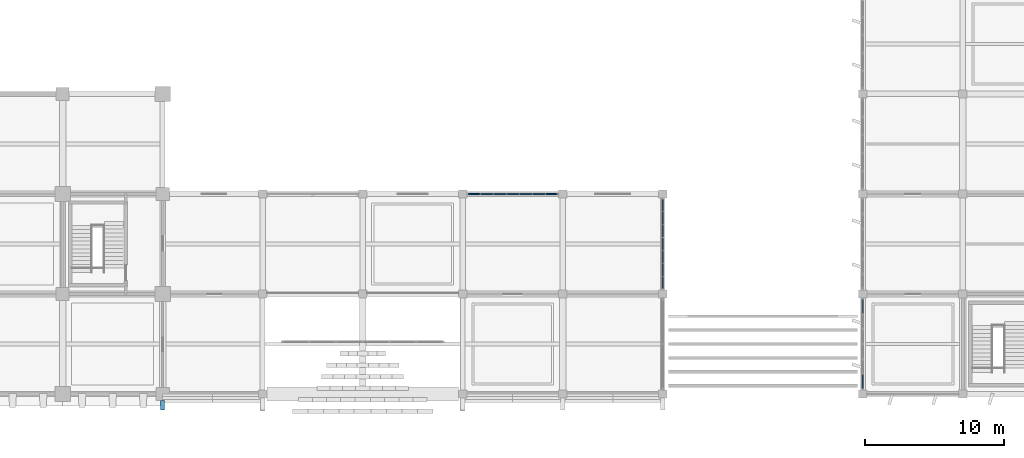
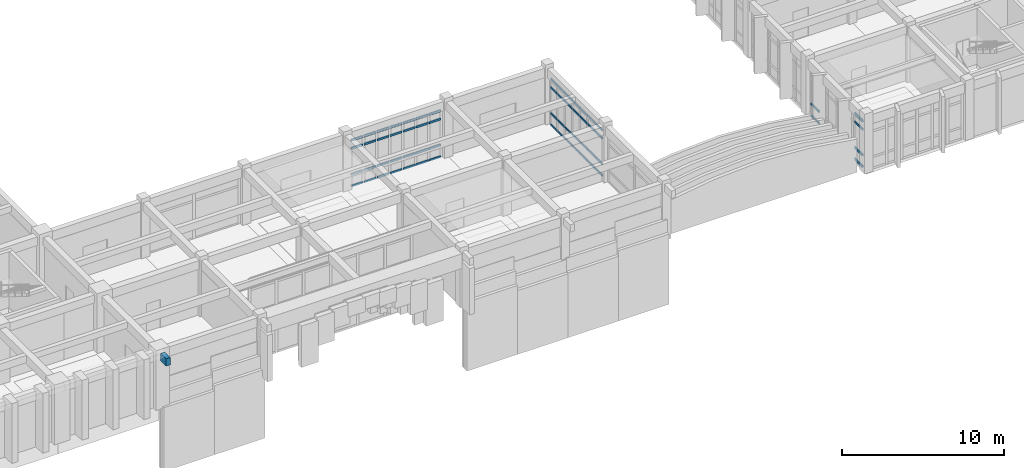
# One storey, part 35 of 81: 62 members, 1 beam, 3 elements without a shape of their own.
"""IFC4 building model written with IfcOpenShell, lengths in metres."""

import ifcopenshell
import ifcopenshell.guid

model = None  # the IFC model being written
_history = None  # IfcOwnerHistory: only IFC2X3 demands one
_inside = {}  # id of a spatial element -> (the spatial element, [elements in it])
_under = {}  # id of a project, library or spatial element -> (it, [spatial elements below it])
_declared = {}  # id of a project -> (the project, [libraries it declares])
_typed = {}  # id of a type object -> (the type object, [elements of that type])
_made_of = {}  # id of a material, layer set ... -> (it, [elements and type objects made of it])


def new_model(schema):
    """Start an empty IFC model of exactly this schema.

    Asked for "IFC4X3", IfcOpenShell would pick the latest addendum, in which some entities
    have other attributes; the version numbers below select the first issue.
    IFC2X3 requires an IfcOwnerHistory on every rooted entity: one is made here for all.
    """
    global model, _history
    if schema == "IFC4X3":
        model = ifcopenshell.file(schema_version=(4, 3, 0, 0))
    else:
        model = ifcopenshell.file(schema=schema)
    _inside.clear()
    _under.clear()
    _declared.clear()
    _typed.clear()
    _made_of.clear()
    _history = None
    if model.schema == "IFC2X3":
        org = make("IfcOrganization", Name="unknown")
        user = make(
            "IfcPersonAndOrganization",
            ThePerson=make("IfcPerson", FamilyName="unknown"),
            TheOrganization=org,
        )
        app = make(
            "IfcApplication",
            ApplicationDeveloper=org,
            Version="unknown",
            ApplicationFullName="unknown",
            ApplicationIdentifier="unknown",
        )
        _history = make(
            "IfcOwnerHistory",
            OwningUser=user,
            OwningApplication=app,
            ChangeAction="ADDED",
            CreationDate=0,
        )
    return model


def make(cls, **values):
    """One entity of the class cls with the attributes given. An attribute that is None is left unset."""
    return model.create_entity(
        cls, **{name: value for name, value in values.items() if value is not None}
    )


def rooted(cls, **values):
    """An entity with a GlobalId (a new one), such as an element, a storey or a relation."""
    return make(cls, GlobalId=ifcopenshell.guid.new(), OwnerHistory=_history, **values)


def si_unit(unit_type, name, prefix=None):
    """IfcSIUnit, for example si_unit("LENGTHUNIT", "METRE", prefix="MILLI")."""
    return make("IfcSIUnit", UnitType=unit_type, Prefix=prefix, Name=name)


def assignment(units):
    """IfcUnitAssignment: the units of a project."""
    return None if units is None else make("IfcUnitAssignment", Units=units)


def point(xyz):
    """IfcCartesianPoint."""
    return None if xyz is None else make("IfcCartesianPoint", Coordinates=xyz)


def direction(xyz):
    """IfcDirection."""
    return None if xyz is None else make("IfcDirection", DirectionRatios=xyz)


def frame(location, z_axis=None, x_axis=None):
    """IfcAxis2Placement3D, a coordinate frame: its origin and axes. An axis left out is left unset."""
    return make(
        "IfcAxis2Placement3D",
        Location=point(location),
        Axis=direction(z_axis),
        RefDirection=direction(x_axis),
    )


def frame_2d(location, x_axis=None):
    """IfcAxis2Placement2D, a coordinate frame in the plane: its origin and x axis."""
    return make(
        "IfcAxis2Placement2D", Location=point(location), RefDirection=direction(x_axis)
    )


def origin():
    """The frame at (0, 0, 0) with its axes left unset."""
    return frame((0.0, 0.0, 0.0))


def origin_2d():
    """The frame at (0, 0) in the plane with its x axis left unset."""
    return frame_2d((0.0, 0.0))


def place(relative_to, where):
    """IfcLocalPlacement: puts the frame where relative to a parent placement (None: the world)."""
    return make(
        "IfcLocalPlacement", PlacementRelTo=relative_to, RelativePlacement=where
    )


def context(
    kind, dimensions, precision=None, world=None, true_north=None, identifier=None
):
    """IfcGeometricRepresentationContext, for example the 3D "Model" context."""
    return make(
        "IfcGeometricRepresentationContext",
        ContextIdentifier=identifier,
        ContextType=kind,
        CoordinateSpaceDimension=dimensions,
        Precision=precision,
        WorldCoordinateSystem=world,
        TrueNorth=true_north,
    )


def subcontext(parent, identifier, kind, view, scale=None):
    """IfcGeometricRepresentationSubContext, for example "Body" below "Model"."""
    return make(
        "IfcGeometricRepresentationSubContext",
        ContextIdentifier=identifier,
        ContextType=kind,
        ParentContext=parent,
        TargetScale=scale,
        TargetView=view,
    )


def project(units=None, contexts=None):
    """IfcProject with its units and contexts."""
    return rooted(
        "IfcProject",
        Name="project",
        RepresentationContexts=contexts,
        UnitsInContext=assignment(units),
    )


def spatial(cls, under=None, at=None, **own):
    """A site, building, storey or space (cls), placed at a placement, below another one or the project."""
    s = rooted(cls, ObjectPlacement=at, **own)
    if under is not None:
        _under.setdefault(under.id(), (under, []))[1].append(s)
    return s


def profile(cls, at=None, kind="AREA", **sizes):
    """A parametric profile (cls). Its sizes go by their IFC names, for example OverallWidth=200.0."""
    return make(cls, ProfileType=kind, Position=at, **sizes)


def rectangle(**sizes):
    """IfcRectangleProfileDef."""
    return profile("IfcRectangleProfileDef", **sizes)


def extrude(swept, where, along, depth):
    """IfcExtrudedAreaSolid: the profile swept, set in the frame where, extruded along a direction by depth."""
    return make(
        "IfcExtrudedAreaSolid",
        SweptArea=swept,
        Position=where,
        ExtrudedDirection=direction(along),
        Depth=depth,
    )


def shape(context_of_items, identifier, shape_type, items):
    """IfcShapeRepresentation: the items that make up one representation, for example the "Body"."""
    return make(
        "IfcShapeRepresentation",
        ContextOfItems=context_of_items,
        RepresentationIdentifier=identifier,
        RepresentationType=shape_type,
        Items=items,
    )


def material(Name=None, Category=None):
    """IfcMaterial."""
    return make("IfcMaterial", Name=Name, Category=Category)


def layer(
    of_material, thickness, ventilated=None, Name=None, Category=None, Priority=None
):
    """IfcMaterialLayer: one layer of a wall or slab, of a material (None: an air gap)."""
    return make(
        "IfcMaterialLayer",
        Material=of_material,
        LayerThickness=thickness,
        IsVentilated=ventilated,
        Name=Name,
        Category=Category,
        Priority=Priority,
    )


def layer_set(layers, Name=None):
    """IfcMaterialLayerSet."""
    return make("IfcMaterialLayerSet", MaterialLayers=layers, LayerSetName=Name)


def material_profile(
    of_material, cross_section, Name=None, Category=None, Priority=None
):
    """IfcMaterialProfile: a cross section and its material."""
    return make(
        "IfcMaterialProfile",
        Name=Name,
        Material=of_material,
        Profile=cross_section,
        Priority=Priority,
        Category=Category,
    )


def profile_set(profiles, Name=None, composite=None):
    """IfcMaterialProfileSet."""
    return make(
        "IfcMaterialProfileSet",
        Name=Name,
        MaterialProfiles=profiles,
        CompositeProfile=composite,
    )


def made_of(thing, what):
    """Note that an element or type object is made of a material, layer set ...; save() writes the relation."""
    if what is not None:
        _made_of.setdefault(what.id(), (what, []))[1].append(thing)
    return thing


def type_object(cls, material=None, **own):
    """A type object (cls), such as IfcWallType, which elements share."""
    return made_of(rooted(cls, **own), material)


def element(
    cls,
    number,
    at=None,
    inside=None,
    cuts=None,
    type_object=None,
    material=None,
    context=None,
    identifier="Body",
    shape_type=None,
    held_by="IfcProductDefinitionShape",
    body=None,
    shapes=None,
    **own,
):
    """One element of the class cls, such as IfcWall. Its Tag is "e" and its number.

    at: its placement. inside: the storey or other place that contains it. cuts: it is an
    opening in that element (IfcRelVoidsElement). A single representation is given by context,
    identifier, shape_type and body (its items); several are given by shapes. held_by: the class
    of the entity that holds the representations. save() writes the other relations.
    """
    e = rooted(cls, Tag="e%d" % number, ObjectPlacement=at, **own)
    if body is not None:
        shapes = [shape(context, identifier, shape_type, body)]
    if shapes is not None:
        e.Representation = make(held_by, Representations=shapes)
    if inside is not None:
        _inside.setdefault(inside.id(), (inside, []))[1].append(e)
    if cuts is not None:
        rooted(
            "IfcRelVoidsElement", RelatingBuildingElement=cuts, RelatedOpeningElement=e
        )
    if type_object is not None:
        _typed.setdefault(type_object.id(), (type_object, []))[1].append(e)
    return made_of(e, material)


def aggregate(whole, parts):
    """IfcRelAggregates: a whole, such as a stair, and the parts it consists of."""
    return rooted("IfcRelAggregates", RelatingObject=whole, RelatedObjects=parts)


def save(model, path):
    """Write the relations noted so far, then the file.

    IfcRelAggregates (storeys below a building ...), IfcRelContainedInSpatialStructure (elements
    in a storey), IfcRelDefinesByType, IfcRelAssociatesMaterial and IfcRelDeclares: one each for
    every whole, place, type object, material and project.
    """
    for whole, parts in _under.values():
        aggregate(whole, parts)
    for where, things in _inside.values():
        rooted(
            "IfcRelContainedInSpatialStructure",
            RelatedElements=things,
            RelatingStructure=where,
        )
    for kind, things in _typed.values():
        rooted("IfcRelDefinesByType", RelatedObjects=things, RelatingType=kind)
    for what, things in _made_of.values():
        rooted("IfcRelAssociatesMaterial", RelatedObjects=things, RelatingMaterial=what)
    for by, libraries in _declared.values():
        rooted("IfcRelDeclares", RelatingContext=by, RelatedDefinitions=libraries)
    model.write(path)


model = new_model("IFC4")

# Units and contexts
model_context = context("Model", 3, precision=1e-05, world=origin(), true_north=direction((0.0, 1.0)))
body_context = subcontext(model_context, "Body", "Model", "MODEL_VIEW")
ifc_project = project(units=[si_unit("LENGTHUNIT", "METRE"), si_unit("AREAUNIT", "SQUARE_METRE"), si_unit("VOLUMEUNIT", "CUBIC_METRE"), si_unit("PLANEANGLEUNIT", "RADIAN"), si_unit("MASSUNIT", "GRAM", prefix="KILO")], contexts=[model_context])

# Site, building, storey
site_placement = place(None, origin())
site = spatial("IfcSite", under=ifc_project, at=site_placement, CompositionType="ELEMENT")
building_placement = place(site_placement, origin())
building = spatial("IfcBuilding", under=site, at=building_placement, Name="Kavelor Marine Aquarium", CompositionType="ELEMENT")
storey_placement = place(building_placement, frame((0.0, 0.0, 4.679931640625)))
storey = spatial("IfcBuildingStorey", under=building, at=storey_placement, Name="L01", CompositionType="ELEMENT", Elevation=4.679931640625)

# Beam
ifc_material_1 = material(Name="Concrete C40/50", Category="concrete")
ifc_material_profile_1 = material_profile(ifc_material_1, rectangle(XDim=0.300048828125, YDim=0.550048828125, at=origin_2d()), Name="RC-SP 300x550")
ifc_profile_set_1 = profile_set([ifc_material_profile_1], Name="Concrete C40/50")
beam_type = type_object("IfcBeamType", Name="BM-SP2", PredefinedType="SPANDREL", material=ifc_profile_set_1)
beam_placement = place(storey_placement, frame((68.0, 1.639892578125, 3.925048828125), z_axis=(0.0, 1.0, 0.0), x_axis=(-1.0, 0.0, 0.0)))
element("IfcBeam", 1, at=beam_placement, inside=storey, type_object=beam_type, Name="bm:out:s:L01:L02:09", PredefinedType="SPANDREL", context=body_context, shape_type="SweptSolid", body=[
    extrude(rectangle(XDim=0.300048828125, YDim=0.550048828125, at=origin_2d()), origin(), (0.0, 0.0, 1.0), 0.68505859375),
])

# Curtain wall, members
ifc_material_2 = material(Name="Thermally Broken Aluminium and Low-E Glass", Category="aluminium")
ifc_layer_1 = layer(ifc_material_2, 0.14794921875)
ifc_layer_set_1 = layer_set([ifc_layer_1], Name="CW-SYS1")
curtain_wall_type_1 = type_object("IfcCurtainWallType", Name="CW-SYS1", PredefinedType="USERDEFINED", material=ifc_layer_set_1)
curtain_wall_1_placement = place(storey_placement, origin())
curtain_wall_1 = element("IfcCurtainWall", 2, at=curtain_wall_1_placement, inside=storey, type_object=curtain_wall_type_1, Name="cw:y:L01:14_01", ObjectType="Curtain Wall", PredefinedType="USERDEFINED")
ifc_material_3 = material(Name="Anodised Aluminium Alloy 6063-T6", Category="aluminium")
ifc_material_profile_2 = material_profile(ifc_material_3, rectangle(XDim=0.074951171875, YDim=0.14990234375, at=origin_2d()), Name="CW-TRN 75x150")
ifc_profile_set_2 = profile_set([ifc_material_profile_2], Name="Anodised Aluminium Alloy 6063-T6")
member_type_1 = type_object("IfcMemberType", Name="CWT-1", PredefinedType="USERDEFINED", material=ifc_profile_set_2)
member_1_placement = place(storey_placement, frame((104.0, 10.419921875, 0.03759765625), z_axis=(0.0, 1.0, 0.0), x_axis=(-1.0, 0.0, 0.0)))
member_1 = element("IfcMember", 3, at=member_1_placement, type_object=member_type_1, Name="CW01 transom 1.1", ObjectType="TRANSOM", PredefinedType="USERDEFINED", context=body_context, shape_type="SweptSolid", body=[
    extrude(rectangle(XDim=0.074951171875, YDim=0.14990234375, at=origin_2d()), origin(), (0.0, 0.0, 1.0), 0.817626953125),
])
member_2_placement = place(storey_placement, frame((104.0, 10.419921875, 0.900146484375), z_axis=(0.0, 1.0, 0.0), x_axis=(-1.0, 0.0, 0.0)))
member_2 = element("IfcMember", 4, at=member_2_placement, type_object=member_type_1, Name="CW01 transom 1.2", ObjectType="TRANSOM", PredefinedType="USERDEFINED", context=body_context, shape_type="SweptSolid", body=[
    extrude(rectangle(XDim=0.074951171875, YDim=0.14990234375, at=origin_2d()), origin(), (0.0, 0.0, 1.0), 0.817626953125),
])
member_3_placement = place(storey_placement, frame((104.0, 10.419921875, 2.840087890625), z_axis=(0.0, 1.0, 0.0), x_axis=(-1.0, 0.0, 0.0)))
member_3 = element("IfcMember", 5, at=member_3_placement, type_object=member_type_1, Name="CW01 transom 1.3", ObjectType="TRANSOM", PredefinedType="USERDEFINED", context=body_context, shape_type="SweptSolid", body=[
    extrude(rectangle(XDim=0.074951171875, YDim=0.14990234375, at=origin_2d()), origin(), (0.0, 0.0, 1.0), 0.817626953125),
])
member_4_placement = place(storey_placement, frame((104.0, 10.419921875, 3.45263671875), z_axis=(0.0, 1.0, 0.0), x_axis=(-1.0, 0.0, 0.0)))
member_4 = element("IfcMember", 6, at=member_4_placement, type_object=member_type_1, Name="CW01 transom 1.4", ObjectType="TRANSOM", PredefinedType="USERDEFINED", context=body_context, shape_type="SweptSolid", body=[
    extrude(rectangle(XDim=0.074951171875, YDim=0.14990234375, at=origin_2d()), origin(), (0.0, 0.0, 1.0), 0.817626953125),
])
member_5_placement = place(storey_placement, frame((104.0, 11.3125, 0.03759765625), z_axis=(0.0, 1.0, 0.0), x_axis=(-1.0, 0.0, 0.0)))
member_5 = element("IfcMember", 7, at=member_5_placement, type_object=member_type_1, Name="CW01 transom 2.1", ObjectType="TRANSOM", PredefinedType="USERDEFINED", context=body_context, shape_type="SweptSolid", body=[
    extrude(rectangle(XDim=0.074951171875, YDim=0.14990234375, at=origin_2d()), origin(), (0.0, 0.0, 1.0), 0.85498046875),
])
member_6_placement = place(storey_placement, frame((104.0, 11.3125, 0.900146484375), z_axis=(0.0, 1.0, 0.0), x_axis=(-1.0, 0.0, 0.0)))
member_6 = element("IfcMember", 8, at=member_6_placement, type_object=member_type_1, Name="CW01 transom 2.2", ObjectType="TRANSOM", PredefinedType="USERDEFINED", context=body_context, shape_type="SweptSolid", body=[
    extrude(rectangle(XDim=0.074951171875, YDim=0.14990234375, at=origin_2d()), origin(), (0.0, 0.0, 1.0), 0.85498046875),
])
member_7_placement = place(storey_placement, frame((104.0, 11.3125, 2.840087890625), z_axis=(0.0, 1.0, 0.0), x_axis=(-1.0, 0.0, 0.0)))
member_7 = element("IfcMember", 9, at=member_7_placement, type_object=member_type_1, Name="CW01 transom 2.3", ObjectType="TRANSOM", PredefinedType="USERDEFINED", context=body_context, shape_type="SweptSolid", body=[
    extrude(rectangle(XDim=0.074951171875, YDim=0.14990234375, at=origin_2d()), origin(), (0.0, 0.0, 1.0), 0.85498046875),
])
member_8_placement = place(storey_placement, frame((104.0, 11.3125, 3.45263671875), z_axis=(0.0, 1.0, 0.0), x_axis=(-1.0, 0.0, 0.0)))
member_8 = element("IfcMember", 10, at=member_8_placement, type_object=member_type_1, Name="CW01 transom 2.4", ObjectType="TRANSOM", PredefinedType="USERDEFINED", context=body_context, shape_type="SweptSolid", body=[
    extrude(rectangle(XDim=0.074951171875, YDim=0.14990234375, at=origin_2d()), origin(), (0.0, 0.0, 1.0), 0.85498046875),
])
member_9_placement = place(storey_placement, frame((104.0, 12.242431640625, 0.03759765625), z_axis=(0.0, 1.0, 0.0), x_axis=(-1.0, 0.0, 0.0)))
member_9 = element("IfcMember", 11, at=member_9_placement, type_object=member_type_1, Name="CW01 transom 3.1", ObjectType="TRANSOM", PredefinedType="USERDEFINED", context=body_context, shape_type="SweptSolid", body=[
    extrude(rectangle(XDim=0.074951171875, YDim=0.14990234375, at=origin_2d()), origin(), (0.0, 0.0, 1.0), 0.85498046875),
])
member_10_placement = place(storey_placement, frame((104.0, 12.242431640625, 0.900146484375), z_axis=(0.0, 1.0, 0.0), x_axis=(-1.0, 0.0, 0.0)))
member_10 = element("IfcMember", 12, at=member_10_placement, type_object=member_type_1, Name="CW01 transom 3.2", ObjectType="TRANSOM", PredefinedType="USERDEFINED", context=body_context, shape_type="SweptSolid", body=[
    extrude(rectangle(XDim=0.074951171875, YDim=0.14990234375, at=origin_2d()), origin(), (0.0, 0.0, 1.0), 0.85498046875),
])
member_11_placement = place(storey_placement, frame((104.0, 12.242431640625, 2.840087890625), z_axis=(0.0, 1.0, 0.0), x_axis=(-1.0, 0.0, 0.0)))
member_11 = element("IfcMember", 13, at=member_11_placement, type_object=member_type_1, Name="CW01 transom 3.3", ObjectType="TRANSOM", PredefinedType="USERDEFINED", context=body_context, shape_type="SweptSolid", body=[
    extrude(rectangle(XDim=0.074951171875, YDim=0.14990234375, at=origin_2d()), origin(), (0.0, 0.0, 1.0), 0.85498046875),
])
member_12_placement = place(storey_placement, frame((104.0, 12.242431640625, 3.45263671875), z_axis=(0.0, 1.0, 0.0), x_axis=(-1.0, 0.0, 0.0)))
member_12 = element("IfcMember", 14, at=member_12_placement, type_object=member_type_1, Name="CW01 transom 3.4", ObjectType="TRANSOM", PredefinedType="USERDEFINED", context=body_context, shape_type="SweptSolid", body=[
    extrude(rectangle(XDim=0.074951171875, YDim=0.14990234375, at=origin_2d()), origin(), (0.0, 0.0, 1.0), 0.85498046875),
])
member_13_placement = place(storey_placement, frame((104.0, 13.172607421875, 0.03759765625), z_axis=(0.0, 1.0, 0.0), x_axis=(-1.0, 0.0, 0.0)))
member_13 = element("IfcMember", 15, at=member_13_placement, type_object=member_type_1, Name="CW01 transom 4.1", ObjectType="TRANSOM", PredefinedType="USERDEFINED", context=body_context, shape_type="SweptSolid", body=[
    extrude(rectangle(XDim=0.074951171875, YDim=0.14990234375, at=origin_2d()), origin(), (0.0, 0.0, 1.0), 0.85498046875),
])
member_14_placement = place(storey_placement, frame((104.0, 13.172607421875, 0.900146484375), z_axis=(0.0, 1.0, 0.0), x_axis=(-1.0, 0.0, 0.0)))
member_14 = element("IfcMember", 16, at=member_14_placement, type_object=member_type_1, Name="CW01 transom 4.2", ObjectType="TRANSOM", PredefinedType="USERDEFINED", context=body_context, shape_type="SweptSolid", body=[
    extrude(rectangle(XDim=0.074951171875, YDim=0.14990234375, at=origin_2d()), origin(), (0.0, 0.0, 1.0), 0.85498046875),
])
member_15_placement = place(storey_placement, frame((104.0, 13.172607421875, 2.840087890625), z_axis=(0.0, 1.0, 0.0), x_axis=(-1.0, 0.0, 0.0)))
member_15 = element("IfcMember", 17, at=member_15_placement, type_object=member_type_1, Name="CW01 transom 4.3", ObjectType="TRANSOM", PredefinedType="USERDEFINED", context=body_context, shape_type="SweptSolid", body=[
    extrude(rectangle(XDim=0.074951171875, YDim=0.14990234375, at=origin_2d()), origin(), (0.0, 0.0, 1.0), 0.85498046875),
])
member_16_placement = place(storey_placement, frame((104.0, 13.172607421875, 3.45263671875), z_axis=(0.0, 1.0, 0.0), x_axis=(-1.0, 0.0, 0.0)))
member_16 = element("IfcMember", 18, at=member_16_placement, type_object=member_type_1, Name="CW01 transom 4.4", ObjectType="TRANSOM", PredefinedType="USERDEFINED", context=body_context, shape_type="SweptSolid", body=[
    extrude(rectangle(XDim=0.074951171875, YDim=0.14990234375, at=origin_2d()), origin(), (0.0, 0.0, 1.0), 0.85498046875),
])
member_17_placement = place(storey_placement, frame((104.0, 14.1025390625, 0.03759765625), z_axis=(0.0, 1.0, 0.0), x_axis=(-1.0, 0.0, 0.0)))
member_17 = element("IfcMember", 19, at=member_17_placement, type_object=member_type_1, Name="CW01 transom 5.1", ObjectType="TRANSOM", PredefinedType="USERDEFINED", context=body_context, shape_type="SweptSolid", body=[
    extrude(rectangle(XDim=0.074951171875, YDim=0.14990234375, at=origin_2d()), origin(), (0.0, 0.0, 1.0), 0.85498046875),
])
member_18_placement = place(storey_placement, frame((104.0, 14.1025390625, 0.900146484375), z_axis=(0.0, 1.0, 0.0), x_axis=(-1.0, 0.0, 0.0)))
member_18 = element("IfcMember", 20, at=member_18_placement, type_object=member_type_1, Name="CW01 transom 5.2", ObjectType="TRANSOM", PredefinedType="USERDEFINED", context=body_context, shape_type="SweptSolid", body=[
    extrude(rectangle(XDim=0.074951171875, YDim=0.14990234375, at=origin_2d()), origin(), (0.0, 0.0, 1.0), 0.85498046875),
])
member_19_placement = place(storey_placement, frame((104.0, 14.1025390625, 2.840087890625), z_axis=(0.0, 1.0, 0.0), x_axis=(-1.0, 0.0, 0.0)))
member_19 = element("IfcMember", 21, at=member_19_placement, type_object=member_type_1, Name="CW01 transom 5.3", ObjectType="TRANSOM", PredefinedType="USERDEFINED", context=body_context, shape_type="SweptSolid", body=[
    extrude(rectangle(XDim=0.074951171875, YDim=0.14990234375, at=origin_2d()), origin(), (0.0, 0.0, 1.0), 0.85498046875),
])
member_20_placement = place(storey_placement, frame((104.0, 14.1025390625, 3.45263671875), z_axis=(0.0, 1.0, 0.0), x_axis=(-1.0, 0.0, 0.0)))
member_20 = element("IfcMember", 22, at=member_20_placement, type_object=member_type_1, Name="CW01 transom 5.4", ObjectType="TRANSOM", PredefinedType="USERDEFINED", context=body_context, shape_type="SweptSolid", body=[
    extrude(rectangle(XDim=0.074951171875, YDim=0.14990234375, at=origin_2d()), origin(), (0.0, 0.0, 1.0), 0.85498046875),
])
member_21_placement = place(storey_placement, frame((104.0, 15.032470703125, 0.03759765625), z_axis=(0.0, 1.0, 0.0), x_axis=(-1.0, 0.0, 0.0)))
member_21 = element("IfcMember", 23, at=member_21_placement, type_object=member_type_1, Name="CW01 transom 6.1", ObjectType="TRANSOM", PredefinedType="USERDEFINED", context=body_context, shape_type="SweptSolid", body=[
    extrude(rectangle(XDim=0.074951171875, YDim=0.14990234375, at=origin_2d()), origin(), (0.0, 0.0, 1.0), 0.85498046875),
])
member_22_placement = place(storey_placement, frame((104.0, 15.032470703125, 0.900146484375), z_axis=(0.0, 1.0, 0.0), x_axis=(-1.0, 0.0, 0.0)))
member_22 = element("IfcMember", 24, at=member_22_placement, type_object=member_type_1, Name="CW01 transom 6.2", ObjectType="TRANSOM", PredefinedType="USERDEFINED", context=body_context, shape_type="SweptSolid", body=[
    extrude(rectangle(XDim=0.074951171875, YDim=0.14990234375, at=origin_2d()), origin(), (0.0, 0.0, 1.0), 0.85498046875),
])
member_23_placement = place(storey_placement, frame((104.0, 15.032470703125, 2.840087890625), z_axis=(0.0, 1.0, 0.0), x_axis=(-1.0, 0.0, 0.0)))
member_23 = element("IfcMember", 25, at=member_23_placement, type_object=member_type_1, Name="CW01 transom 6.3", ObjectType="TRANSOM", PredefinedType="USERDEFINED", context=body_context, shape_type="SweptSolid", body=[
    extrude(rectangle(XDim=0.074951171875, YDim=0.14990234375, at=origin_2d()), origin(), (0.0, 0.0, 1.0), 0.85498046875),
])
member_24_placement = place(storey_placement, frame((104.0, 15.032470703125, 3.45263671875), z_axis=(0.0, 1.0, 0.0), x_axis=(-1.0, 0.0, 0.0)))
member_24 = element("IfcMember", 26, at=member_24_placement, type_object=member_type_1, Name="CW01 transom 6.4", ObjectType="TRANSOM", PredefinedType="USERDEFINED", context=body_context, shape_type="SweptSolid", body=[
    extrude(rectangle(XDim=0.074951171875, YDim=0.14990234375, at=origin_2d()), origin(), (0.0, 0.0, 1.0), 0.85498046875),
])
member_25_placement = place(storey_placement, frame((104.0, 15.96240234375, 0.03759765625), z_axis=(0.0, 1.0, 0.0), x_axis=(-1.0, 0.0, 0.0)))
member_25 = element("IfcMember", 27, at=member_25_placement, type_object=member_type_1, Name="CW01 transom 7.1", ObjectType="TRANSOM", PredefinedType="USERDEFINED", context=body_context, shape_type="SweptSolid", body=[
    extrude(rectangle(XDim=0.074951171875, YDim=0.14990234375, at=origin_2d()), origin(), (0.0, 0.0, 1.0), 0.817626953125),
])
member_26_placement = place(storey_placement, frame((104.0, 15.96240234375, 0.900146484375), z_axis=(0.0, 1.0, 0.0), x_axis=(-1.0, 0.0, 0.0)))
member_26 = element("IfcMember", 28, at=member_26_placement, type_object=member_type_1, Name="CW01 transom 7.2", ObjectType="TRANSOM", PredefinedType="USERDEFINED", context=body_context, shape_type="SweptSolid", body=[
    extrude(rectangle(XDim=0.074951171875, YDim=0.14990234375, at=origin_2d()), origin(), (0.0, 0.0, 1.0), 0.817626953125),
])
member_27_placement = place(storey_placement, frame((104.0, 15.96240234375, 2.840087890625), z_axis=(0.0, 1.0, 0.0), x_axis=(-1.0, 0.0, 0.0)))
member_27 = element("IfcMember", 29, at=member_27_placement, type_object=member_type_1, Name="CW01 transom 7.3", ObjectType="TRANSOM", PredefinedType="USERDEFINED", context=body_context, shape_type="SweptSolid", body=[
    extrude(rectangle(XDim=0.074951171875, YDim=0.14990234375, at=origin_2d()), origin(), (0.0, 0.0, 1.0), 0.817626953125),
])
member_28_placement = place(storey_placement, frame((104.0, 15.96240234375, 3.45263671875), z_axis=(0.0, 1.0, 0.0), x_axis=(-1.0, 0.0, 0.0)))
member_28 = element("IfcMember", 30, at=member_28_placement, type_object=member_type_1, Name="CW01 transom 7.4", ObjectType="TRANSOM", PredefinedType="USERDEFINED", context=body_context, shape_type="SweptSolid", body=[
    extrude(rectangle(XDim=0.074951171875, YDim=0.14990234375, at=origin_2d()), origin(), (0.0, 0.0, 1.0), 0.817626953125),
])
aggregate(curtain_wall_1, [member_1, member_2, member_3, member_4, member_5, member_6, member_7, member_8, member_9, member_10, member_11, member_12, member_13, member_14, member_15, member_16, member_17, member_18, member_19, member_20, member_21, member_22, member_23, member_24, member_25, member_26, member_27, member_28])

ifc_material_4 = material(Name="Thermally Broken Aluminium and Low-E Glass", Category="aluminium")
ifc_layer_2 = layer(ifc_material_4, 0.156005859375)
ifc_layer_set_2 = layer_set([ifc_layer_2], Name="CW-SYS2")
curtain_wall_type_2 = type_object("IfcCurtainWallType", Name="CW-SYS2", PredefinedType="USERDEFINED", material=ifc_layer_set_2)
curtain_wall_2_placement = place(storey_placement, origin())
curtain_wall_2 = element("IfcCurtainWall", 31, at=curtain_wall_2_placement, inside=storey, type_object=curtain_wall_type_2, Name="cw:x:L01:12_02", ObjectType="Curtain Wall", PredefinedType="USERDEFINED")
ifc_material_5 = material(Name="Anodised Aluminium Alloy 6063-T6", Category="aluminium")
ifc_material_profile_3 = material_profile(ifc_material_5, rectangle(XDim=0.080078125, YDim=0.155029296875, at=origin_2d()), Name="CW-TRN 80x155")
ifc_profile_set_3 = profile_set([ifc_material_profile_3], Name="Anodised Aluminium Alloy 6063-T6")
member_type_2 = type_object("IfcMemberType", Name="CWT-2", PredefinedType="USERDEFINED", material=ifc_profile_set_3)
member_29_placement = place(storey_placement, frame((90.010009765625, 17.199951171875, 0.032470703125), z_axis=(1.0, 0.0, 0.0), x_axis=(0.0, 1.0, 0.0)))
member_29 = element("IfcMember", 32, at=member_29_placement, type_object=member_type_2, Name="CW02 transom 1.1", ObjectType="TRANSOM", PredefinedType="USERDEFINED", context=body_context, shape_type="SweptSolid", body=[
    extrude(rectangle(XDim=0.080078125, YDim=0.155029296875, at=origin_2d()), origin(), (0.0, 0.0, 1.0), 0.83251953125),
])
member_30_placement = place(storey_placement, frame((90.010009765625, 17.199951171875, 0.900146484375), z_axis=(1.0, 0.0, 0.0), x_axis=(0.0, 1.0, 0.0)))
member_30 = element("IfcMember", 33, at=member_30_placement, type_object=member_type_2, Name="CW02 transom 1.2", ObjectType="TRANSOM", PredefinedType="USERDEFINED", context=body_context, shape_type="SweptSolid", body=[
    extrude(rectangle(XDim=0.080078125, YDim=0.155029296875, at=origin_2d()), origin(), (0.0, 0.0, 1.0), 0.83251953125),
])
member_31_placement = place(storey_placement, frame((90.010009765625, 17.199951171875, 2.860107421875), z_axis=(1.0, 0.0, 0.0), x_axis=(0.0, 1.0, 0.0)))
member_31 = element("IfcMember", 34, at=member_31_placement, type_object=member_type_2, Name="CW02 transom 1.3", ObjectType="TRANSOM", PredefinedType="USERDEFINED", context=body_context, shape_type="SweptSolid", body=[
    extrude(rectangle(XDim=0.080078125, YDim=0.155029296875, at=origin_2d()), origin(), (0.0, 0.0, 1.0), 0.83251953125),
])
member_32_placement = place(storey_placement, frame((90.010009765625, 17.199951171875, 3.4775390625), z_axis=(1.0, 0.0, 0.0), x_axis=(0.0, 1.0, 0.0)))
member_32 = element("IfcMember", 35, at=member_32_placement, type_object=member_type_2, Name="CW02 transom 1.4", ObjectType="TRANSOM", PredefinedType="USERDEFINED", context=body_context, shape_type="SweptSolid", body=[
    extrude(rectangle(XDim=0.080078125, YDim=0.155029296875, at=origin_2d()), origin(), (0.0, 0.0, 1.0), 0.83251953125),
])
member_33_placement = place(storey_placement, frame((90.907470703125, 17.199951171875, 0.032470703125), z_axis=(1.0, 0.0, 0.0), x_axis=(0.0, 1.0, 0.0)))
member_33 = element("IfcMember", 36, at=member_33_placement, type_object=member_type_2, Name="CW02 transom 2.1", ObjectType="TRANSOM", PredefinedType="USERDEFINED", context=body_context, shape_type="SweptSolid", body=[
    extrude(rectangle(XDim=0.080078125, YDim=0.155029296875, at=origin_2d()), origin(), (0.0, 0.0, 1.0), 0.864990234375),
])
member_34_placement = place(storey_placement, frame((90.907470703125, 17.199951171875, 0.900146484375), z_axis=(1.0, 0.0, 0.0), x_axis=(0.0, 1.0, 0.0)))
member_34 = element("IfcMember", 37, at=member_34_placement, type_object=member_type_2, Name="CW02 transom 2.2", ObjectType="TRANSOM", PredefinedType="USERDEFINED", context=body_context, shape_type="SweptSolid", body=[
    extrude(rectangle(XDim=0.080078125, YDim=0.155029296875, at=origin_2d()), origin(), (0.0, 0.0, 1.0), 0.864990234375),
])
member_35_placement = place(storey_placement, frame((90.907470703125, 17.199951171875, 2.860107421875), z_axis=(1.0, 0.0, 0.0), x_axis=(0.0, 1.0, 0.0)))
member_35 = element("IfcMember", 38, at=member_35_placement, type_object=member_type_2, Name="CW02 transom 2.3", ObjectType="TRANSOM", PredefinedType="USERDEFINED", context=body_context, shape_type="SweptSolid", body=[
    extrude(rectangle(XDim=0.080078125, YDim=0.155029296875, at=origin_2d()), origin(), (0.0, 0.0, 1.0), 0.864990234375),
])
member_36_placement = place(storey_placement, frame((90.907470703125, 17.199951171875, 3.4775390625), z_axis=(1.0, 0.0, 0.0), x_axis=(0.0, 1.0, 0.0)))
member_36 = element("IfcMember", 39, at=member_36_placement, type_object=member_type_2, Name="CW02 transom 2.4", ObjectType="TRANSOM", PredefinedType="USERDEFINED", context=body_context, shape_type="SweptSolid", body=[
    extrude(rectangle(XDim=0.080078125, YDim=0.155029296875, at=origin_2d()), origin(), (0.0, 0.0, 1.0), 0.864990234375),
])
member_37_placement = place(storey_placement, frame((91.83740234375, 17.199951171875, 0.032470703125), z_axis=(1.0, 0.0, 0.0), x_axis=(0.0, 1.0, 0.0)))
member_37 = element("IfcMember", 40, at=member_37_placement, type_object=member_type_2, Name="CW02 transom 3.1", ObjectType="TRANSOM", PredefinedType="USERDEFINED", context=body_context, shape_type="SweptSolid", body=[
    extrude(rectangle(XDim=0.080078125, YDim=0.155029296875, at=origin_2d()), origin(), (0.0, 0.0, 1.0), 0.864990234375),
])
member_38_placement = place(storey_placement, frame((91.83740234375, 17.199951171875, 0.900146484375), z_axis=(1.0, 0.0, 0.0), x_axis=(0.0, 1.0, 0.0)))
member_38 = element("IfcMember", 41, at=member_38_placement, type_object=member_type_2, Name="CW02 transom 3.2", ObjectType="TRANSOM", PredefinedType="USERDEFINED", context=body_context, shape_type="SweptSolid", body=[
    extrude(rectangle(XDim=0.080078125, YDim=0.155029296875, at=origin_2d()), origin(), (0.0, 0.0, 1.0), 0.864990234375),
])
member_39_placement = place(storey_placement, frame((91.83740234375, 17.199951171875, 2.860107421875), z_axis=(1.0, 0.0, 0.0), x_axis=(0.0, 1.0, 0.0)))
member_39 = element("IfcMember", 42, at=member_39_placement, type_object=member_type_2, Name="CW02 transom 3.3", ObjectType="TRANSOM", PredefinedType="USERDEFINED", context=body_context, shape_type="SweptSolid", body=[
    extrude(rectangle(XDim=0.080078125, YDim=0.155029296875, at=origin_2d()), origin(), (0.0, 0.0, 1.0), 0.864990234375),
])
member_40_placement = place(storey_placement, frame((91.83740234375, 17.199951171875, 3.4775390625), z_axis=(1.0, 0.0, 0.0), x_axis=(0.0, 1.0, 0.0)))
member_40 = element("IfcMember", 43, at=member_40_placement, type_object=member_type_2, Name="CW02 transom 3.4", ObjectType="TRANSOM", PredefinedType="USERDEFINED", context=body_context, shape_type="SweptSolid", body=[
    extrude(rectangle(XDim=0.080078125, YDim=0.155029296875, at=origin_2d()), origin(), (0.0, 0.0, 1.0), 0.864990234375),
])
member_41_placement = place(storey_placement, frame((92.767578125, 17.199951171875, 0.032470703125), z_axis=(1.0, 0.0, 0.0), x_axis=(0.0, 1.0, 0.0)))
member_41 = element("IfcMember", 44, at=member_41_placement, type_object=member_type_2, Name="CW02 transom 4.1", ObjectType="TRANSOM", PredefinedType="USERDEFINED", context=body_context, shape_type="SweptSolid", body=[
    extrude(rectangle(XDim=0.080078125, YDim=0.155029296875, at=origin_2d()), origin(), (0.0, 0.0, 1.0), 0.864990234375),
])
member_42_placement = place(storey_placement, frame((92.767578125, 17.199951171875, 0.900146484375), z_axis=(1.0, 0.0, 0.0), x_axis=(0.0, 1.0, 0.0)))
member_42 = element("IfcMember", 45, at=member_42_placement, type_object=member_type_2, Name="CW02 transom 4.2", ObjectType="TRANSOM", PredefinedType="USERDEFINED", context=body_context, shape_type="SweptSolid", body=[
    extrude(rectangle(XDim=0.080078125, YDim=0.155029296875, at=origin_2d()), origin(), (0.0, 0.0, 1.0), 0.864990234375),
])
member_43_placement = place(storey_placement, frame((92.767578125, 17.199951171875, 2.860107421875), z_axis=(1.0, 0.0, 0.0), x_axis=(0.0, 1.0, 0.0)))
member_43 = element("IfcMember", 46, at=member_43_placement, type_object=member_type_2, Name="CW02 transom 4.3", ObjectType="TRANSOM", PredefinedType="USERDEFINED", context=body_context, shape_type="SweptSolid", body=[
    extrude(rectangle(XDim=0.080078125, YDim=0.155029296875, at=origin_2d()), origin(), (0.0, 0.0, 1.0), 0.864990234375),
])
member_44_placement = place(storey_placement, frame((92.767578125, 17.199951171875, 3.4775390625), z_axis=(1.0, 0.0, 0.0), x_axis=(0.0, 1.0, 0.0)))
member_44 = element("IfcMember", 47, at=member_44_placement, type_object=member_type_2, Name="CW02 transom 4.4", ObjectType="TRANSOM", PredefinedType="USERDEFINED", context=body_context, shape_type="SweptSolid", body=[
    extrude(rectangle(XDim=0.080078125, YDim=0.155029296875, at=origin_2d()), origin(), (0.0, 0.0, 1.0), 0.864990234375),
])
member_45_placement = place(storey_placement, frame((93.697509765625, 17.199951171875, 0.032470703125), z_axis=(1.0, 0.0, 0.0), x_axis=(0.0, 1.0, 0.0)))
member_45 = element("IfcMember", 48, at=member_45_placement, type_object=member_type_2, Name="CW02 transom 5.1", ObjectType="TRANSOM", PredefinedType="USERDEFINED", context=body_context, shape_type="SweptSolid", body=[
    extrude(rectangle(XDim=0.080078125, YDim=0.155029296875, at=origin_2d()), origin(), (0.0, 0.0, 1.0), 0.864990234375),
])
member_46_placement = place(storey_placement, frame((93.697509765625, 17.199951171875, 0.900146484375), z_axis=(1.0, 0.0, 0.0), x_axis=(0.0, 1.0, 0.0)))
member_46 = element("IfcMember", 49, at=member_46_placement, type_object=member_type_2, Name="CW02 transom 5.2", ObjectType="TRANSOM", PredefinedType="USERDEFINED", context=body_context, shape_type="SweptSolid", body=[
    extrude(rectangle(XDim=0.080078125, YDim=0.155029296875, at=origin_2d()), origin(), (0.0, 0.0, 1.0), 0.864990234375),
])
member_47_placement = place(storey_placement, frame((93.697509765625, 17.199951171875, 2.860107421875), z_axis=(1.0, 0.0, 0.0), x_axis=(0.0, 1.0, 0.0)))
member_47 = element("IfcMember", 50, at=member_47_placement, type_object=member_type_2, Name="CW02 transom 5.3", ObjectType="TRANSOM", PredefinedType="USERDEFINED", context=body_context, shape_type="SweptSolid", body=[
    extrude(rectangle(XDim=0.080078125, YDim=0.155029296875, at=origin_2d()), origin(), (0.0, 0.0, 1.0), 0.864990234375),
])
member_48_placement = place(storey_placement, frame((93.697509765625, 17.199951171875, 3.4775390625), z_axis=(1.0, 0.0, 0.0), x_axis=(0.0, 1.0, 0.0)))
member_48 = element("IfcMember", 51, at=member_48_placement, type_object=member_type_2, Name="CW02 transom 5.4", ObjectType="TRANSOM", PredefinedType="USERDEFINED", context=body_context, shape_type="SweptSolid", body=[
    extrude(rectangle(XDim=0.080078125, YDim=0.155029296875, at=origin_2d()), origin(), (0.0, 0.0, 1.0), 0.864990234375),
])
member_49_placement = place(storey_placement, frame((94.62744140625, 17.199951171875, 0.032470703125), z_axis=(1.0, 0.0, 0.0), x_axis=(0.0, 1.0, 0.0)))
member_49 = element("IfcMember", 52, at=member_49_placement, type_object=member_type_2, Name="CW02 transom 6.1", ObjectType="TRANSOM", PredefinedType="USERDEFINED", context=body_context, shape_type="SweptSolid", body=[
    extrude(rectangle(XDim=0.080078125, YDim=0.155029296875, at=origin_2d()), origin(), (0.0, 0.0, 1.0), 0.864990234375),
])
member_50_placement = place(storey_placement, frame((94.62744140625, 17.199951171875, 0.900146484375), z_axis=(1.0, 0.0, 0.0), x_axis=(0.0, 1.0, 0.0)))
member_50 = element("IfcMember", 53, at=member_50_placement, type_object=member_type_2, Name="CW02 transom 6.2", ObjectType="TRANSOM", PredefinedType="USERDEFINED", context=body_context, shape_type="SweptSolid", body=[
    extrude(rectangle(XDim=0.080078125, YDim=0.155029296875, at=origin_2d()), origin(), (0.0, 0.0, 1.0), 0.864990234375),
])
member_51_placement = place(storey_placement, frame((94.62744140625, 17.199951171875, 2.860107421875), z_axis=(1.0, 0.0, 0.0), x_axis=(0.0, 1.0, 0.0)))
member_51 = element("IfcMember", 54, at=member_51_placement, type_object=member_type_2, Name="CW02 transom 6.3", ObjectType="TRANSOM", PredefinedType="USERDEFINED", context=body_context, shape_type="SweptSolid", body=[
    extrude(rectangle(XDim=0.080078125, YDim=0.155029296875, at=origin_2d()), origin(), (0.0, 0.0, 1.0), 0.864990234375),
])
member_52_placement = place(storey_placement, frame((94.62744140625, 17.199951171875, 3.4775390625), z_axis=(1.0, 0.0, 0.0), x_axis=(0.0, 1.0, 0.0)))
member_52 = element("IfcMember", 55, at=member_52_placement, type_object=member_type_2, Name="CW02 transom 6.4", ObjectType="TRANSOM", PredefinedType="USERDEFINED", context=body_context, shape_type="SweptSolid", body=[
    extrude(rectangle(XDim=0.080078125, YDim=0.155029296875, at=origin_2d()), origin(), (0.0, 0.0, 1.0), 0.864990234375),
])
member_53_placement = place(storey_placement, frame((95.5576171875, 17.199951171875, 0.032470703125), z_axis=(1.0, 0.0, 0.0), x_axis=(0.0, 1.0, 0.0)))
member_53 = element("IfcMember", 56, at=member_53_placement, type_object=member_type_2, Name="CW02 transom 7.1", ObjectType="TRANSOM", PredefinedType="USERDEFINED", context=body_context, shape_type="SweptSolid", body=[
    extrude(rectangle(XDim=0.080078125, YDim=0.155029296875, at=origin_2d()), origin(), (0.0, 0.0, 1.0), 0.832275390625),
])
member_54_placement = place(storey_placement, frame((95.5576171875, 17.199951171875, 0.900146484375), z_axis=(1.0, 0.0, 0.0), x_axis=(0.0, 1.0, 0.0)))
member_54 = element("IfcMember", 57, at=member_54_placement, type_object=member_type_2, Name="CW02 transom 7.2", ObjectType="TRANSOM", PredefinedType="USERDEFINED", context=body_context, shape_type="SweptSolid", body=[
    extrude(rectangle(XDim=0.080078125, YDim=0.155029296875, at=origin_2d()), origin(), (0.0, 0.0, 1.0), 0.832275390625),
])
member_55_placement = place(storey_placement, frame((95.5576171875, 17.199951171875, 2.860107421875), z_axis=(1.0, 0.0, 0.0), x_axis=(0.0, 1.0, 0.0)))
member_55 = element("IfcMember", 58, at=member_55_placement, type_object=member_type_2, Name="CW02 transom 7.3", ObjectType="TRANSOM", PredefinedType="USERDEFINED", context=body_context, shape_type="SweptSolid", body=[
    extrude(rectangle(XDim=0.080078125, YDim=0.155029296875, at=origin_2d()), origin(), (0.0, 0.0, 1.0), 0.832275390625),
])
member_56_placement = place(storey_placement, frame((95.5576171875, 17.199951171875, 3.4775390625), z_axis=(1.0, 0.0, 0.0), x_axis=(0.0, 1.0, 0.0)))
member_56 = element("IfcMember", 59, at=member_56_placement, type_object=member_type_2, Name="CW02 transom 7.4", ObjectType="TRANSOM", PredefinedType="USERDEFINED", context=body_context, shape_type="SweptSolid", body=[
    extrude(rectangle(XDim=0.080078125, YDim=0.155029296875, at=origin_2d()), origin(), (0.0, 0.0, 1.0), 0.832275390625),
])
aggregate(curtain_wall_2, [member_29, member_30, member_31, member_32, member_33, member_34, member_35, member_36, member_37, member_38, member_39, member_40, member_41, member_42, member_43, member_44, member_45, member_46, member_47, member_48, member_49, member_50, member_51, member_52, member_53, member_54, member_55, member_56])

ifc_material_6 = material(Name="Thermally Broken Aluminium and Low-E Glass", Category="aluminium")
ifc_layer_3 = layer(ifc_material_6, 0.172119140625)
ifc_layer_set_3 = layer_set([ifc_layer_3], Name="CW-SYS4")
curtain_wall_type_3 = type_object("IfcCurtainWallType", Name="CW-SYS4", PredefinedType="USERDEFINED", material=ifc_layer_set_3)
curtain_wall_3_placement = place(storey_placement, origin())
curtain_wall_3 = element("IfcCurtainWall", 60, at=curtain_wall_3_placement, inside=storey, type_object=curtain_wall_type_3, Name="cw:y:L01:16_00", ObjectType="Curtain Wall", PredefinedType="USERDEFINED")
ifc_material_7 = material(Name="Anodised Aluminium Alloy 6063-T6", Category="aluminium")
ifc_material_profile_4 = material_profile(ifc_material_7, rectangle(XDim=0.0849609375, YDim=0.159912109375, at=origin_2d()), Name="CW-TRN 85x160")
ifc_profile_set_4 = profile_set([ifc_material_profile_4], Name="Anodised Aluminium Alloy 6063-T6")
member_type_3 = type_object("IfcMemberType", Name="CWT-3", PredefinedType="USERDEFINED", material=ifc_profile_set_4)
member_57_placement = place(storey_placement, frame((118.39990234375, 9.580078125, 0.030029296875), z_axis=(0.0, -1.0, 0.0), x_axis=(1.0, 0.0, 0.0)))
member_57 = element("IfcMember", 61, at=member_57_placement, type_object=member_type_3, Name="CW04 transom 1.1", ObjectType="TRANSOM", PredefinedType="USERDEFINED", context=body_context, shape_type="SweptSolid", body=[
    extrude(rectangle(XDim=0.0849609375, YDim=0.159912109375, at=origin_2d()), origin(), (0.0, 0.0, 1.0), 0.97265625),
])
member_58_placement = place(storey_placement, frame((118.39990234375, 9.580078125, 0.900146484375), z_axis=(0.0, -1.0, 0.0), x_axis=(1.0, 0.0, 0.0)))
member_58 = element("IfcMember", 62, at=member_58_placement, type_object=member_type_3, Name="CW04 transom 1.2", ObjectType="TRANSOM", PredefinedType="USERDEFINED", context=body_context, shape_type="SweptSolid", body=[
    extrude(rectangle(XDim=0.0849609375, YDim=0.159912109375, at=origin_2d()), origin(), (0.0, 0.0, 1.0), 0.97265625),
])
member_59_placement = place(storey_placement, frame((118.39990234375, 4.1923828125, 0.030029296875), z_axis=(0.0, -1.0, 0.0), x_axis=(1.0, 0.0, 0.0)))
member_59 = element("IfcMember", 63, at=member_59_placement, type_object=member_type_3, Name="CW04 transom 6.1", ObjectType="TRANSOM", PredefinedType="USERDEFINED", context=body_context, shape_type="SweptSolid", body=[
    extrude(rectangle(XDim=0.0849609375, YDim=0.159912109375, at=origin_2d()), origin(), (0.0, 0.0, 1.0), 0.972412109375),
])
member_60_placement = place(storey_placement, frame((118.39990234375, 4.1923828125, 0.900146484375), z_axis=(0.0, -1.0, 0.0), x_axis=(1.0, 0.0, 0.0)))
member_60 = element("IfcMember", 64, at=member_60_placement, type_object=member_type_3, Name="CW04 transom 6.2", ObjectType="TRANSOM", PredefinedType="USERDEFINED", context=body_context, shape_type="SweptSolid", body=[
    extrude(rectangle(XDim=0.0849609375, YDim=0.159912109375, at=origin_2d()), origin(), (0.0, 0.0, 1.0), 0.972412109375),
])
member_61_placement = place(storey_placement, frame((118.39990234375, 4.1923828125, 2.840087890625), z_axis=(0.0, -1.0, 0.0), x_axis=(1.0, 0.0, 0.0)))
member_61 = element("IfcMember", 65, at=member_61_placement, type_object=member_type_3, Name="CW04 transom 6.3", ObjectType="TRANSOM", PredefinedType="USERDEFINED", context=body_context, shape_type="SweptSolid", body=[
    extrude(rectangle(XDim=0.0849609375, YDim=0.159912109375, at=origin_2d()), origin(), (0.0, 0.0, 1.0), 0.972412109375),
])
member_62_placement = place(storey_placement, frame((118.39990234375, 4.1923828125, 3.4599609375), z_axis=(0.0, -1.0, 0.0), x_axis=(1.0, 0.0, 0.0)))
member_62 = element("IfcMember", 66, at=member_62_placement, type_object=member_type_3, Name="CW04 transom 6.4", ObjectType="TRANSOM", PredefinedType="USERDEFINED", context=body_context, shape_type="SweptSolid", body=[
    extrude(rectangle(XDim=0.0849609375, YDim=0.159912109375, at=origin_2d()), origin(), (0.0, 0.0, 1.0), 0.972412109375),
])
aggregate(curtain_wall_3, [member_57, member_58, member_59, member_60, member_61, member_62])

save(model, "model.ifc")
